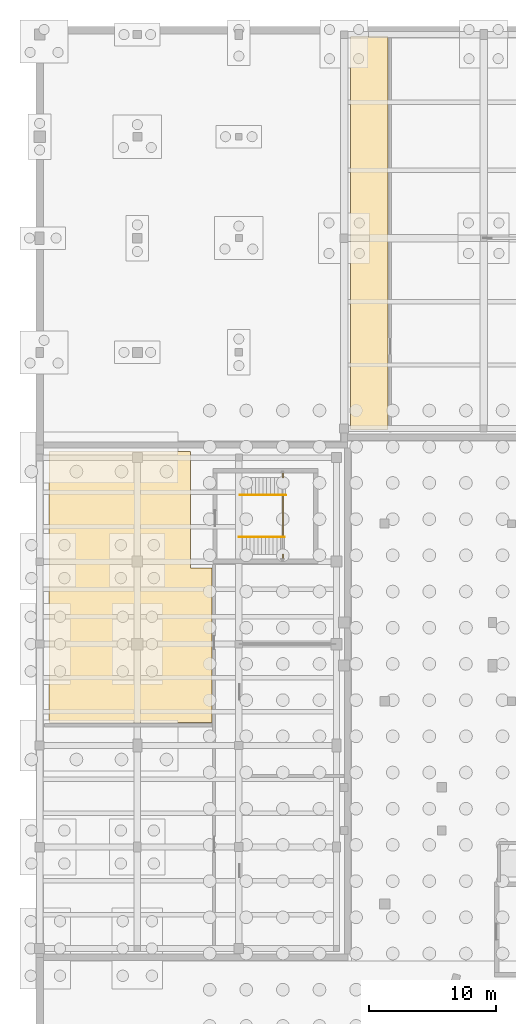
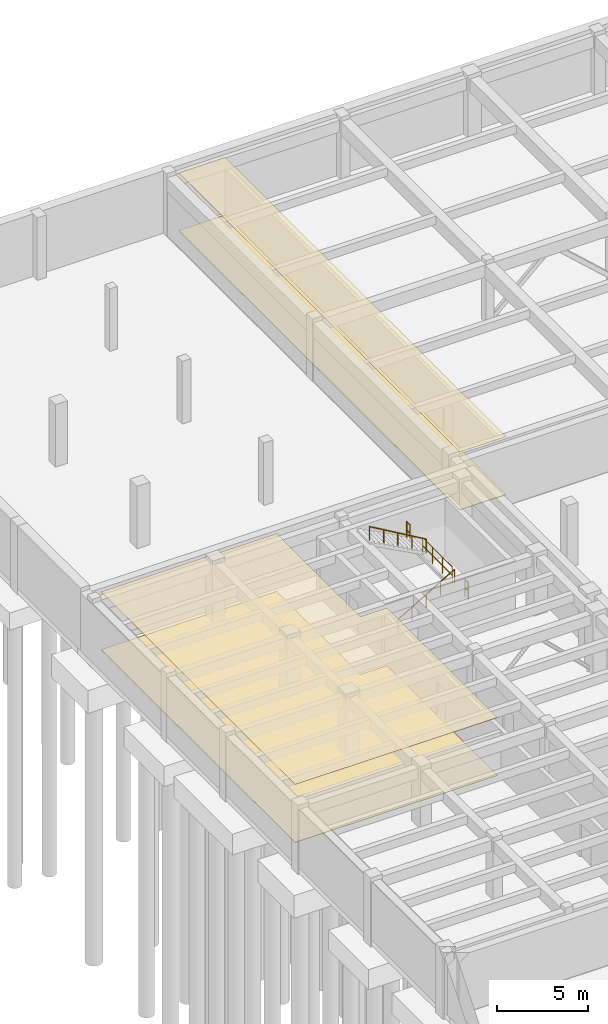
# One storey, part 33 of 36: 5 railings, 4 coverings.
"""IFC4 building model written with IfcOpenShell, lengths in metres."""

from ifc_helpers import new_model, si_unit, direction, frame, origin, origin_2d, place, context, subcontext, project, spatial, polyline, circle, outline, extrude, material, layer, layer_set, type_object, element, save


model = new_model("IFC4")

# Units and contexts
model_context = context("Model", 3, precision=1e-05, world=origin(), true_north=direction((0.0, 1.0)))
body_context = subcontext(model_context, "Body", "Model", "MODEL_VIEW")
ifc_project = project(units=[si_unit("LENGTHUNIT", "METRE"), si_unit("AREAUNIT", "SQUARE_METRE"), si_unit("VOLUMEUNIT", "CUBIC_METRE"), si_unit("PLANEANGLEUNIT", "RADIAN"), si_unit("MASSUNIT", "GRAM", prefix="KILO"), si_unit("THERMODYNAMICTEMPERATUREUNIT", "KELVIN"), si_unit("POWERUNIT", "WATT")], contexts=[model_context])

# Site, building, storey
site_placement = place(None, origin())
site = spatial("IfcSite", under=ifc_project, at=site_placement, CompositionType="ELEMENT")
building_placement = place(site_placement, origin())
building = spatial("IfcBuilding", under=site, at=building_placement, Name="Solvatero Civic Police Headquarters", CompositionType="ELEMENT")
storey_placement = place(building_placement, frame((0.0, 0.0, -8.39990234375)))
storey = spatial("IfcBuildingStorey", under=building, at=storey_placement, Name="B02", CompositionType="ELEMENT", Elevation=-8.39990234375)

# Coverings
ifc_material_1 = material(Name="Mineral-Fibre Acoustic Tile", Category="gypsum")
ifc_layer_1 = layer(ifc_material_1, 0.02490234375)
ifc_layer_set_1 = layer_set([ifc_layer_1], Name="Mineral-Fibre Acoustic Tile")
covering_type_1 = type_object("IfcCoveringType", Name="COV-CEIL-AC", PredefinedType="CEILING", material=ifc_layer_set_1)
covering_1_placement = place(storey_placement, frame((0.0, 0.0, 3.89501953125)))
element("IfcCovering", 1, at=covering_1_placement, inside=storey, type_object=covering_type_1, Name="Acoustic Ceiling Police Motorcycle and Cycle Secure Store", PredefinedType="CEILING", context=body_context, shape_type="SweptSolid", body=[
    extrude(outline(polyline([(29.320068359375, 85.419921875), (29.320068359375, 116.3798828125), (32.280029296875, 116.3798828125), (32.280029296875, 85.419921875), (29.320068359375, 85.419921875)])), origin(), (0.0, 0.0, 1.0), 0.02490234375),
])
covering_2_placement = place(storey_placement, frame((0.0, 0.0, 3.89501953125)))
element("IfcCovering", 2, at=covering_2_placement, inside=storey, type_object=covering_type_1, Name="Acoustic Ceiling Refrigerated Biological Evidence Vault", PredefinedType="CEILING", context=body_context, shape_type="SweptSolid", body=[
    extrude(outline(polyline([(18.3798828125, 62.320068359375), (5.52001953125, 62.320068359375), (5.52001953125, 83.679931640625), (16.679931640625, 83.679931640625), (16.679931640625, 74.56005859375), (16.680419921875, 74.55224609375), (16.681396484375, 74.54443359375), (16.683349609375, 74.536865234375), (16.68603515625, 74.529296875), (16.689453125, 74.522216796875), (16.693603515625, 74.515625), (16.6982421875, 74.50927734375), (16.703369140625, 74.50341796875), (16.709228515625, 74.498291015625), (16.715576171875, 74.493408203125), (16.722412109375, 74.489501953125), (16.7294921875, 74.486083984375), (16.73681640625, 74.4833984375), (16.744384765625, 74.4814453125), (16.752197265625, 74.48046875), (16.760009765625, 74.47998046875), (18.3798828125, 74.47998046875), (18.3798828125, 62.320068359375)])), origin(), (0.0, 0.0, 1.0), 0.02490234375),
])
ifc_material_2 = material(Name="Venetian Terrazzo Stone", Category="masonry")
ifc_layer_2 = layer(ifc_material_2, 0.034912109375)
ifc_layer_set_2 = layer_set([ifc_layer_2], Name="Venetian Terrazzo Stone")
covering_type_2 = type_object("IfcCoveringType", Name="COV-FLR-TER", PredefinedType="FLOORING", material=ifc_layer_set_2)
covering_3_placement = place(storey_placement, origin())
element("IfcCovering", 3, at=covering_3_placement, inside=storey, type_object=covering_type_2, Name="Flooring Police Motorcycle and Cycle Secure Store", PredefinedType="FLOORING", context=body_context, shape_type="SweptSolid", body=[
    extrude(outline(polyline([(29.320068359375, 85.419921875), (29.320068359375, 116.3798828125), (32.280029296875, 116.3798828125), (32.280029296875, 85.419921875), (29.320068359375, 85.419921875)])), origin(), (0.0, 0.0, 1.0), 0.034912109375),
])
covering_4_placement = place(storey_placement, origin())
element("IfcCovering", 4, at=covering_4_placement, inside=storey, type_object=covering_type_2, Name="Flooring Refrigerated Biological Evidence Vault", PredefinedType="FLOORING", context=body_context, shape_type="SweptSolid", body=[
    extrude(outline(polyline([(18.3798828125, 62.320068359375), (5.52001953125, 62.320068359375), (5.52001953125, 83.679931640625), (16.679931640625, 83.679931640625), (16.679931640625, 74.56005859375), (16.680419921875, 74.55224609375), (16.681396484375, 74.54443359375), (16.683349609375, 74.536865234375), (16.68603515625, 74.529296875), (16.689453125, 74.522216796875), (16.693603515625, 74.515625), (16.6982421875, 74.50927734375), (16.703369140625, 74.50341796875), (16.709228515625, 74.498291015625), (16.715576171875, 74.493408203125), (16.722412109375, 74.489501953125), (16.7294921875, 74.486083984375), (16.73681640625, 74.4833984375), (16.744384765625, 74.4814453125), (16.752197265625, 74.48046875), (16.760009765625, 74.47998046875), (18.3798828125, 74.47998046875), (18.3798828125, 62.320068359375)])), origin(), (0.0, 0.0, 1.0), 0.034912109375),
])

# Railings
ifc_material_3 = material(Name="Painted Galvanized Steel", Category="steel")
railing_type_1 = type_object("IfcRailingType", Name="RL-GRD-110", PredefinedType="GUARDRAIL", material=ifc_material_3)
railing_1_placement = place(storey_placement, frame((23.969970703125, 76.97998046875, 2.099853515625)))
element("IfcRailing", 5, at=railing_1_placement, inside=storey, type_object=railing_type_1, Name="ST-C4 B02 Half-Landing Well Guardrail", PredefinedType="GUARDRAIL", context=body_context, shape_type="SweptSolid", body=[
    extrude(circle(Radius=0.02392578125, at=origin_2d()), frame((0.0, 0.0, 1.09619140625), z_axis=(0.0, 1.0, 0.0), x_axis=(-1.0, 0.0, 0.0)), (0.0, 0.0, 1.0), 3.239990234375),
    extrude(circle(Radius=0.02392578125, at=origin_2d()), frame((0.0, 0.0, 0.5361328125), z_axis=(0.0, 1.0, 0.0), x_axis=(-1.0, 0.0, 0.0)), (0.0, 0.0, 1.0), 3.239990234375),
    extrude(circle(Radius=0.02099609375, at=origin_2d()), origin(), (0.0, 0.0, 1.0), 1.072021484375),
    extrude(circle(Radius=0.02099609375, at=origin_2d()), frame((0.0, 1.080078125, 0.0)), (0.0, 0.0, 1.0), 1.072021484375),
    extrude(circle(Radius=0.02099609375, at=origin_2d()), frame((0.0, 2.159912109375, 0.0)), (0.0, 0.0, 1.0), 1.072021484375),
    extrude(circle(Radius=0.02099609375, at=origin_2d()), frame((0.0, 3.239990234375, 0.0)), (0.0, 0.0, 1.0), 1.072021484375),
])
for number, where, name in (
    (6, (23.969970703125, 75.2099609375, 2.099853515625), "ST-C4 B02 Half-Landing South Slot Guardrail"),
    (7, (23.969970703125, 81.6298828125, 2.099853515625), "ST-C4 B02 Half-Landing North Slot Guardrail"),
):
    element("IfcRailing", number, at=place(storey_placement, frame(where)), inside=storey, type_object=railing_type_1, Name=name, PredefinedType="GUARDRAIL", context=body_context, shape_type="SweptSolid", body=[
        extrude(circle(Radius=0.02392578125, at=origin_2d()), frame((0.0, 0.0, 1.09619140625), z_axis=(0.0, 1.0, 0.0), x_axis=(-1.0, 0.0, 0.0)), (0.0, 0.0, 1.0), 0.360107421875),
        extrude(circle(Radius=0.02392578125, at=origin_2d()), frame((0.0, 0.0, 0.5361328125), z_axis=(0.0, 1.0, 0.0), x_axis=(-1.0, 0.0, 0.0)), (0.0, 0.0, 1.0), 0.360107421875),
        extrude(circle(Radius=0.02099609375, at=origin_2d()), origin(), (0.0, 0.0, 1.0), 1.072021484375),
        extrude(circle(Radius=0.02099609375, at=origin_2d()), frame((0.0, 0.360107421875, 0.0)), (0.0, 0.0, 1.0), 1.072021484375),
    ])
ifc_material_4 = material(Name="Brushed Stainless Steel", Category="steel")
railing_type_2 = type_object("IfcRailingType", Name="RL-HND-092", PredefinedType="HANDRAIL", material=ifc_material_4)
railing_2_placement = place(storey_placement, frame((20.5, 76.949951171875, 0.0)))
element("IfcRailing", 8, at=railing_2_placement, inside=storey, type_object=railing_type_2, Name="ST-C4 B02 Flight 1 Handrail", PredefinedType="HANDRAIL", context=body_context, shape_type="SweptSolid", body=[
    extrude(circle(Radius=0.02392578125, at=origin_2d()), frame((0.0, 0.0, 0.89599609375), z_axis=(0.863800146258, 0.0, 0.503834603144), x_axis=(0.0, 1.0, 0.0)), (0.0, 0.0, 1.0), 4.167724609375),
    extrude(circle(Radius=0.02099609375, at=origin_2d()), origin(), (0.0, 0.0, 1.0), 0.871826171875),
    extrude(circle(Radius=0.02099609375, at=origin_2d()), frame((0.89990234375, 0.0, 0.52490234375)), (0.0, 0.0, 1.0), 0.871826171875),
    extrude(circle(Radius=0.02099609375, at=origin_2d()), frame((1.800048828125, 0.0, 1.0498046875)), (0.0, 0.0, 1.0), 0.871826171875),
    extrude(circle(Radius=0.02099609375, at=origin_2d()), frame((2.7001953125, 0.0, 1.574951171875)), (0.0, 0.0, 1.0), 0.871826171875),
    extrude(circle(Radius=0.02099609375, at=origin_2d()), frame((3.60009765625, 0.0, 2.099853515625)), (0.0, 0.0, 1.0), 0.871826171875),
])
railing_3_placement = place(storey_placement, frame((24.199951171875, 80.25, 2.099853515625)))
element("IfcRailing", 9, at=railing_3_placement, inside=storey, type_object=railing_type_2, Name="ST-C4 B02 Flight 2 Handrail", PredefinedType="HANDRAIL", context=body_context, shape_type="SweptSolid", body=[
    extrude(circle(Radius=0.02392578125, at=origin_2d()), frame((0.0, 0.0, 0.89599609375), z_axis=(-0.863759778359, 0.0, 0.503903805591), x_axis=(0.0, -1.0, 0.0)), (0.0, 0.0, 1.0), 4.167724609375),
    extrude(circle(Radius=0.02099609375, at=origin_2d()), origin(), (0.0, 0.0, 1.0), 0.871826171875),
    extrude(circle(Radius=0.02099609375, at=origin_2d()), frame((-0.89990234375, 0.0, 0.52490234375)), (0.0, 0.0, 1.0), 0.871826171875),
    extrude(circle(Radius=0.02099609375, at=origin_2d()), frame((-1.7998046875, 0.0, 1.050048828125)), (0.0, 0.0, 1.0), 0.871826171875),
    extrude(circle(Radius=0.02099609375, at=origin_2d()), frame((-2.699951171875, 0.0, 1.5751953125)), (0.0, 0.0, 1.0), 0.871826171875),
    extrude(circle(Radius=0.02099609375, at=origin_2d()), frame((-3.599853515625, 0.0, 2.10009765625)), (0.0, 0.0, 1.0), 0.871826171875),
])

save(model, "model.ifc")
